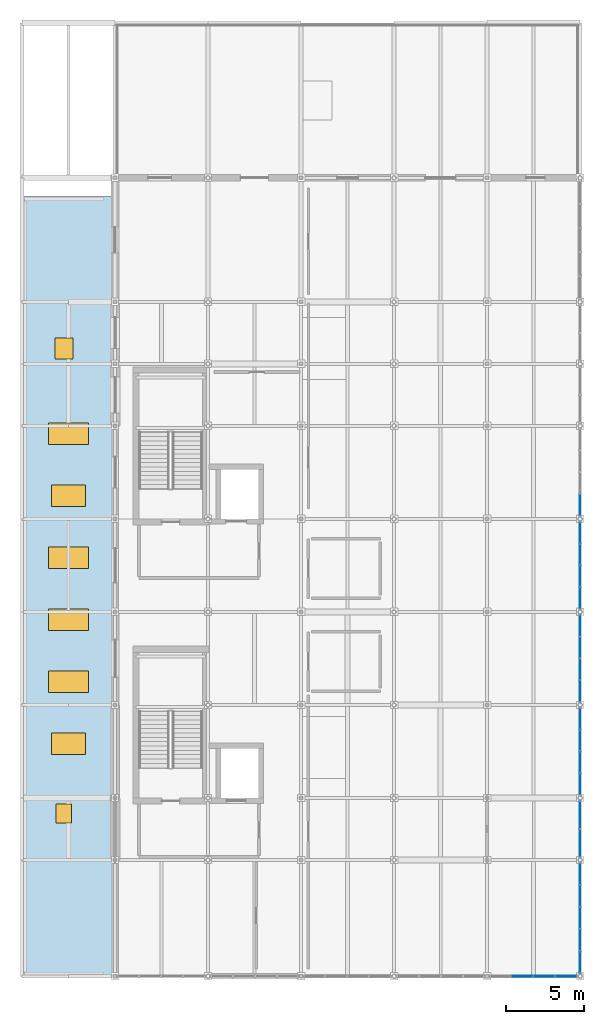
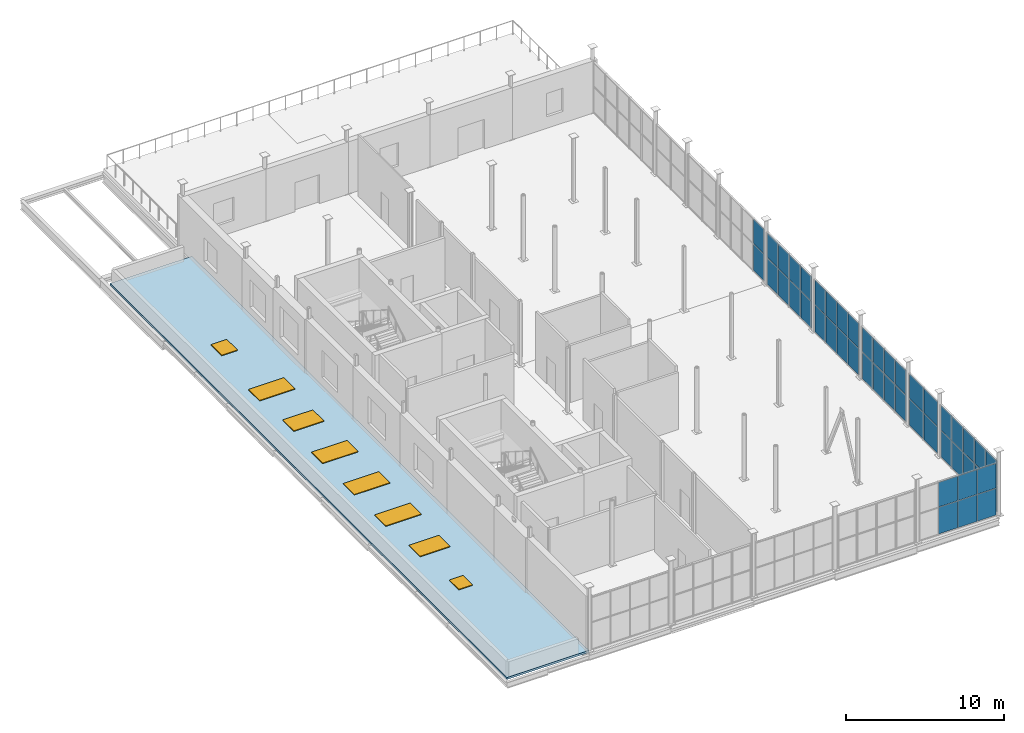
# One storey, part 20 of 27: 46 plates, 6 windows, 2 doors, 1 slab, 8 openings, 7 elements without a shape of their own.
"""IFC4 building model written with IfcOpenShell, lengths in metres."""

from ifc_helpers import new_model, si_unit, direction, frame, origin, origin_2d, place, context, subcontext, project, spatial, polyline, rectangle, outline, extrude, material, layer, layer_set, type_object, element, fill, aggregate, save


model = new_model("IFC4")

# Units and contexts
model_context = context("Model", 3, precision=1e-05, world=origin(), true_north=direction((0.0, 1.0)))
body_context = subcontext(model_context, "Body", "Model", "MODEL_VIEW")
ifc_project = project(units=[si_unit("LENGTHUNIT", "METRE"), si_unit("AREAUNIT", "SQUARE_METRE"), si_unit("VOLUMEUNIT", "CUBIC_METRE"), si_unit("PLANEANGLEUNIT", "RADIAN"), si_unit("MASSUNIT", "GRAM", prefix="KILO")], contexts=[model_context])

# Site, building, storey
site_placement = place(None, origin())
site = spatial("IfcSite", under=ifc_project, at=site_placement, CompositionType="ELEMENT")
building_placement = place(site_placement, origin())
building = spatial("IfcBuilding", under=site, at=building_placement, Name="Verrall Gate Interchange", CompositionType="ELEMENT")
storey_placement = place(building_placement, frame((0.0, 0.0, 23.60009765625)))
storey = spatial("IfcBuildingStorey", under=building, at=storey_placement, Name="L06", CompositionType="ELEMENT", Elevation=23.60009765625)

# Curtain wall, plates
ifc_material_1 = material(Name="Thermally Broken Anodized Aluminium Curtain Wall Framing", Category="aluminium")
curtain_wall_type_1 = type_object("IfcCurtainWallType", Name="CW-47 Unitized Curtain Wall 3663x4100", PredefinedType="NOTDEFINED", material=ifc_material_1)
curtain_wall_1_placement = place(storey_placement, origin())
curtain_wall_1 = element("IfcCurtainWall", 1, at=curtain_wall_1_placement, inside=storey, type_object=curtain_wall_type_1, Name="L06 Unitized Curtain Wall CW-L06-144", PredefinedType="NOTDEFINED")
ifc_material_2 = material(Name="Triple-Glazed Low-E Argon Insulated Curtain Panel (U=1.45)", Category="glass")
ifc_layer_1 = layer(ifc_material_2, 0.030029296875)
ifc_layer_set_1 = layer_set([ifc_layer_1], Name="Triple-Glazed Low-E Argon Insulated Curtain Panel (U=1.45)")
plate_type_1 = type_object("IfcPlateType", Name="CP-01 Curtain Glazing Panel 30", PredefinedType="CURTAIN_PANEL", material=ifc_layer_set_1)
plate_1_placement = place(storey_placement, frame((36.0, 13.1005859375, 0.05419921875), z_axis=(0.0, 0.0, 1.0), x_axis=(0.0, 1.0, 0.0)))
plate_1 = element("IfcPlate", 2, at=plate_1_placement, type_object=plate_type_1, Name="CW-L06-144 Glazing Panel 1.1", PredefinedType="CURTAIN_PANEL", context=body_context, shape_type="SweptSolid", body=[
    extrude(rectangle(XDim=1.754638671875, YDim=0.030029296875, at=origin_2d()), origin(), (0.0, 0.0, 1.0), 2.055419921875),
])
plate_2_placement = place(storey_placement, frame((36.0, 13.1005859375, 2.15380859375), z_axis=(0.0, 0.0, 1.0), x_axis=(0.0, 1.0, 0.0)))
plate_2 = element("IfcPlate", 3, at=plate_2_placement, type_object=plate_type_1, Name="CW-L06-144 Glazing Panel 1.2", PredefinedType="CURTAIN_PANEL", context=body_context, shape_type="SweptSolid", body=[
    extrude(rectangle(XDim=1.754638671875, YDim=0.030029296875, at=origin_2d()), origin(), (0.0, 0.0, 1.0), 1.891357421875),
])
plate_3_placement = place(storey_placement, frame((36.0, 14.8994140625, 0.05419921875), z_axis=(0.0, 0.0, 1.0), x_axis=(0.0, 1.0, 0.0)))
plate_3 = element("IfcPlate", 4, at=plate_3_placement, type_object=plate_type_1, Name="CW-L06-144 Glazing Panel 2.1", PredefinedType="CURTAIN_PANEL", context=body_context, shape_type="SweptSolid", body=[
    extrude(rectangle(XDim=1.754638671875, YDim=0.030029296875, at=origin_2d()), origin(), (0.0, 0.0, 1.0), 2.055419921875),
])
plate_4_placement = place(storey_placement, frame((36.0, 14.8994140625, 2.15380859375), z_axis=(0.0, 0.0, 1.0), x_axis=(0.0, 1.0, 0.0)))
plate_4 = element("IfcPlate", 5, at=plate_4_placement, type_object=plate_type_1, Name="CW-L06-144 Glazing Panel 2.2", PredefinedType="CURTAIN_PANEL", context=body_context, shape_type="SweptSolid", body=[
    extrude(rectangle(XDim=1.754638671875, YDim=0.030029296875, at=origin_2d()), origin(), (0.0, 0.0, 1.0), 1.891357421875),
])
aggregate(curtain_wall_1, [plate_1, plate_2, plate_3, plate_4])

ifc_material_3 = material(Name="Thermally Broken Anodized Aluminium Curtain Wall Framing", Category="aluminium")
curtain_wall_type_2 = type_object("IfcCurtainWallType", Name="CW-45 Unitized Curtain Wall 5698x4100", PredefinedType="NOTDEFINED", material=ifc_material_3)
curtain_wall_2_placement = place(storey_placement, origin())
curtain_wall_2 = element("IfcCurtainWall", 6, at=curtain_wall_2_placement, inside=storey, type_object=curtain_wall_type_2, Name="L06 Unitized Curtain Wall CW-L06-145", PredefinedType="NOTDEFINED")
plate_5_placement = place(storey_placement, frame((36.0, 16.895263671875, 0.06298828125), z_axis=(0.0, 0.0, 1.0), x_axis=(0.0, 1.0, 0.0)))
plate_5 = element("IfcPlate", 7, at=plate_5_placement, type_object=plate_type_1, Name="CW-L06-145 Glazing Panel 1.1", PredefinedType="CURTAIN_PANEL", context=body_context, shape_type="SweptSolid", body=[
    extrude(rectangle(XDim=1.3271484375, YDim=0.030029296875, at=origin_2d()), origin(), (0.0, 0.0, 1.0), 2.04345703125),
])
plate_6_placement = place(storey_placement, frame((36.0, 16.895263671875, 2.157470703125), z_axis=(0.0, 0.0, 1.0), x_axis=(0.0, 1.0, 0.0)))
plate_6 = element("IfcPlate", 8, at=plate_6_placement, type_object=plate_type_1, Name="CW-L06-145 Glazing Panel 1.2", PredefinedType="CURTAIN_PANEL", context=body_context, shape_type="SweptSolid", body=[
    extrude(rectangle(XDim=1.3271484375, YDim=0.030029296875, at=origin_2d()), origin(), (0.0, 0.0, 1.0), 1.87939453125),
])
plate_7_placement = place(storey_placement, frame((36.0, 18.2919921875, 0.06298828125), z_axis=(0.0, 0.0, 1.0), x_axis=(0.0, 1.0, 0.0)))
plate_7 = element("IfcPlate", 9, at=plate_7_placement, type_object=plate_type_1, Name="CW-L06-145 Glazing Panel 2.1", PredefinedType="CURTAIN_PANEL", context=body_context, shape_type="SweptSolid", body=[
    extrude(rectangle(XDim=1.36474609375, YDim=0.030029296875, at=origin_2d()), origin(), (0.0, 0.0, 1.0), 2.04345703125),
])
plate_8_placement = place(storey_placement, frame((36.0, 18.2919921875, 2.157470703125), z_axis=(0.0, 0.0, 1.0), x_axis=(0.0, 1.0, 0.0)))
plate_8 = element("IfcPlate", 10, at=plate_8_placement, type_object=plate_type_1, Name="CW-L06-145 Glazing Panel 2.2", PredefinedType="CURTAIN_PANEL", context=body_context, shape_type="SweptSolid", body=[
    extrude(rectangle(XDim=1.36474609375, YDim=0.030029296875, at=origin_2d()), origin(), (0.0, 0.0, 1.0), 1.87939453125),
])
plate_9_placement = place(storey_placement, frame((36.0, 19.7080078125, 0.06298828125), z_axis=(0.0, 0.0, 1.0), x_axis=(0.0, 1.0, 0.0)))
plate_9 = element("IfcPlate", 11, at=plate_9_placement, type_object=plate_type_1, Name="CW-L06-145 Glazing Panel 3.1", PredefinedType="CURTAIN_PANEL", context=body_context, shape_type="SweptSolid", body=[
    extrude(rectangle(XDim=1.36474609375, YDim=0.030029296875, at=origin_2d()), origin(), (0.0, 0.0, 1.0), 2.04345703125),
])
plate_10_placement = place(storey_placement, frame((36.0, 19.7080078125, 2.157470703125), z_axis=(0.0, 0.0, 1.0), x_axis=(0.0, 1.0, 0.0)))
plate_10 = element("IfcPlate", 12, at=plate_10_placement, type_object=plate_type_1, Name="CW-L06-145 Glazing Panel 3.2", PredefinedType="CURTAIN_PANEL", context=body_context, shape_type="SweptSolid", body=[
    extrude(rectangle(XDim=1.36474609375, YDim=0.030029296875, at=origin_2d()), origin(), (0.0, 0.0, 1.0), 1.87939453125),
])
plate_11_placement = place(storey_placement, frame((36.0, 21.104736328125, 0.06298828125), z_axis=(0.0, 0.0, 1.0), x_axis=(0.0, 1.0, 0.0)))
plate_11 = element("IfcPlate", 13, at=plate_11_placement, type_object=plate_type_1, Name="CW-L06-145 Glazing Panel 4.1", PredefinedType="CURTAIN_PANEL", context=body_context, shape_type="SweptSolid", body=[
    extrude(rectangle(XDim=1.3271484375, YDim=0.030029296875, at=origin_2d()), origin(), (0.0, 0.0, 1.0), 2.04345703125),
])
plate_12_placement = place(storey_placement, frame((36.0, 21.104736328125, 2.157470703125), z_axis=(0.0, 0.0, 1.0), x_axis=(0.0, 1.0, 0.0)))
plate_12 = element("IfcPlate", 14, at=plate_12_placement, type_object=plate_type_1, Name="CW-L06-145 Glazing Panel 4.2", PredefinedType="CURTAIN_PANEL", context=body_context, shape_type="SweptSolid", body=[
    extrude(rectangle(XDim=1.3271484375, YDim=0.030029296875, at=origin_2d()), origin(), (0.0, 0.0, 1.0), 1.87939453125),
])
aggregate(curtain_wall_2, [plate_5, plate_6, plate_7, plate_8, plate_9, plate_10, plate_11, plate_12])

curtain_wall_3_placement = place(storey_placement, origin())
curtain_wall_3 = element("IfcCurtainWall", 15, at=curtain_wall_3_placement, inside=storey, type_object=curtain_wall_type_2, Name="L06 Unitized Curtain Wall CW-L06-148", PredefinedType="NOTDEFINED")
plate_13_placement = place(storey_placement, frame((36.0, 34.892578125, 0.05419921875), z_axis=(0.0, 0.0, 1.0), x_axis=(0.0, 1.0, 0.0)))
plate_13 = element("IfcPlate", 16, at=plate_13_placement, type_object=plate_type_1, Name="CW-L06-148 Glazing Panel 1.1", PredefinedType="CURTAIN_PANEL", context=body_context, shape_type="SweptSolid", body=[
    extrude(rectangle(XDim=1.339111328125, YDim=0.030029296875, at=origin_2d()), origin(), (0.0, 0.0, 1.0), 2.055419921875),
])
plate_14_placement = place(storey_placement, frame((36.0, 34.892578125, 2.15380859375), z_axis=(0.0, 0.0, 1.0), x_axis=(0.0, 1.0, 0.0)))
plate_14 = element("IfcPlate", 17, at=plate_14_placement, type_object=plate_type_1, Name="CW-L06-148 Glazing Panel 1.2", PredefinedType="CURTAIN_PANEL", context=body_context, shape_type="SweptSolid", body=[
    extrude(rectangle(XDim=1.339111328125, YDim=0.030029296875, at=origin_2d()), origin(), (0.0, 0.0, 1.0), 1.891357421875),
])
aggregate(curtain_wall_3, [plate_13, plate_14])

curtain_wall_4_placement = place(storey_placement, origin())
curtain_wall_4 = element("IfcCurtainWall", 18, at=curtain_wall_4_placement, inside=storey, type_object=curtain_wall_type_2, Name="L06 Unitized Curtain Wall CW-L06-142", PredefinedType="NOTDEFINED")
ifc_material_4 = material(Name="Triple-Glazed Low-E Argon Insulated Curtain Panel (U=1.45)", Category="glass")
ifc_layer_2 = layer(ifc_material_4, 0.0400390625)
ifc_layer_set_2 = layer_set([ifc_layer_2], Name="Triple-Glazed Low-E Argon Insulated Curtain Panel (U=1.45)")
plate_type_2 = type_object("IfcPlateType", Name="CP-02 Curtain Glazing Panel 40", PredefinedType="CURTAIN_PANEL", material=ifc_layer_set_2)
plate_15_placement = place(storey_placement, frame((32.270263671875, 4.5, 0.05419921875), z_axis=(0.0, 0.0, 1.0), x_axis=(1.0, 0.0, 0.0)))
plate_15 = element("IfcPlate", 19, at=plate_15_placement, type_object=plate_type_2, Name="CW-L06-142 Glazing Panel 2.1", PredefinedType="CURTAIN_PANEL", context=body_context, shape_type="SweptSolid", body=[
    extrude(rectangle(XDim=1.380126953125, YDim=0.0400390625, at=origin_2d()), origin(), (0.0, 0.0, 1.0), 2.055419921875),
])
plate_16_placement = place(storey_placement, frame((32.270263671875, 4.5, 2.15380859375), z_axis=(0.0, 0.0, 1.0), x_axis=(1.0, 0.0, 0.0)))
plate_16 = element("IfcPlate", 20, at=plate_16_placement, type_object=plate_type_2, Name="CW-L06-142 Glazing Panel 2.2", PredefinedType="CURTAIN_PANEL", context=body_context, shape_type="SweptSolid", body=[
    extrude(rectangle(XDim=1.380126953125, YDim=0.0400390625, at=origin_2d()), origin(), (0.0, 0.0, 1.0), 1.891357421875),
])
plate_17_placement = place(storey_placement, frame((33.694580078125, 4.5, 0.05419921875), z_axis=(0.0, 0.0, 1.0), x_axis=(1.0, 0.0, 0.0)))
plate_17 = element("IfcPlate", 21, at=plate_17_placement, type_object=plate_type_2, Name="CW-L06-142 Glazing Panel 3.1", PredefinedType="CURTAIN_PANEL", context=body_context, shape_type="SweptSolid", body=[
    extrude(rectangle(XDim=1.38037109375, YDim=0.0400390625, at=origin_2d()), origin(), (0.0, 0.0, 1.0), 2.055419921875),
])
plate_18_placement = place(storey_placement, frame((33.694580078125, 4.5, 2.15380859375), z_axis=(0.0, 0.0, 1.0), x_axis=(1.0, 0.0, 0.0)))
plate_18 = element("IfcPlate", 22, at=plate_18_placement, type_object=plate_type_2, Name="CW-L06-142 Glazing Panel 3.2", PredefinedType="CURTAIN_PANEL", context=body_context, shape_type="SweptSolid", body=[
    extrude(rectangle(XDim=1.38037109375, YDim=0.0400390625, at=origin_2d()), origin(), (0.0, 0.0, 1.0), 1.891357421875),
])
plate_19_placement = place(storey_placement, frame((35.102783203125, 4.5, 0.05419921875), z_axis=(0.0, 0.0, 1.0), x_axis=(1.0, 0.0, 0.0)))
plate_19 = element("IfcPlate", 23, at=plate_19_placement, type_object=plate_type_2, Name="CW-L06-142 Glazing Panel 4.1", PredefinedType="CURTAIN_PANEL", context=body_context, shape_type="SweptSolid", body=[
    extrude(rectangle(XDim=1.347900390625, YDim=0.0400390625, at=origin_2d()), origin(), (0.0, 0.0, 1.0), 2.055419921875),
])
plate_20_placement = place(storey_placement, frame((35.102783203125, 4.5, 2.15380859375), z_axis=(0.0, 0.0, 1.0), x_axis=(1.0, 0.0, 0.0)))
plate_20 = element("IfcPlate", 24, at=plate_20_placement, type_object=plate_type_2, Name="CW-L06-142 Glazing Panel 4.2", PredefinedType="CURTAIN_PANEL", context=body_context, shape_type="SweptSolid", body=[
    extrude(rectangle(XDim=1.347900390625, YDim=0.0400390625, at=origin_2d()), origin(), (0.0, 0.0, 1.0), 1.891357421875),
])
aggregate(curtain_wall_4, [plate_15, plate_16, plate_17, plate_18, plate_19, plate_20])

ifc_material_5 = material(Name="Thermally Broken Anodized Aluminium Curtain Wall Framing", Category="aluminium")
curtain_wall_type_3 = type_object("IfcCurtainWallType", Name="CW-46 Unitized Curtain Wall 7163x4100", PredefinedType="NOTDEFINED", material=ifc_material_5)
curtain_wall_5_placement = place(storey_placement, origin())
curtain_wall_5 = element("IfcCurtainWall", 25, at=curtain_wall_5_placement, inside=storey, type_object=curtain_wall_type_3, Name="L06 Unitized Curtain Wall CW-L06-143", PredefinedType="NOTDEFINED")
plate_21_placement = place(storey_placement, frame((36.0, 5.403564453125, 0.06298828125), z_axis=(0.0, 0.0, 1.0), x_axis=(0.0, 1.0, 0.0)))
plate_21 = element("IfcPlate", 26, at=plate_21_placement, type_object=plate_type_2, Name="CW-L06-143 Glazing Panel 1.1", PredefinedType="CURTAIN_PANEL", context=body_context, shape_type="SweptSolid", body=[
    extrude(rectangle(XDim=1.343994140625, YDim=0.0400390625, at=origin_2d()), origin(), (0.0, 0.0, 1.0), 2.04345703125),
])
plate_22_placement = place(storey_placement, frame((36.0, 5.403564453125, 2.157470703125), z_axis=(0.0, 0.0, 1.0), x_axis=(0.0, 1.0, 0.0)))
plate_22 = element("IfcPlate", 27, at=plate_22_placement, type_object=plate_type_2, Name="CW-L06-143 Glazing Panel 1.2", PredefinedType="CURTAIN_PANEL", context=body_context, shape_type="SweptSolid", body=[
    extrude(rectangle(XDim=1.343994140625, YDim=0.0400390625, at=origin_2d()), origin(), (0.0, 0.0, 1.0), 1.87939453125),
])
plate_23_placement = place(storey_placement, frame((36.0, 6.8173828125, 0.06298828125), z_axis=(0.0, 0.0, 1.0), x_axis=(0.0, 1.0, 0.0)))
plate_23 = element("IfcPlate", 28, at=plate_23_placement, type_object=plate_type_2, Name="CW-L06-143 Glazing Panel 2.1", PredefinedType="CURTAIN_PANEL", context=body_context, shape_type="SweptSolid", body=[
    extrude(rectangle(XDim=1.381591796875, YDim=0.0400390625, at=origin_2d()), origin(), (0.0, 0.0, 1.0), 2.04345703125),
])
plate_24_placement = place(storey_placement, frame((36.0, 6.8173828125, 2.157470703125), z_axis=(0.0, 0.0, 1.0), x_axis=(0.0, 1.0, 0.0)))
plate_24 = element("IfcPlate", 29, at=plate_24_placement, type_object=plate_type_2, Name="CW-L06-143 Glazing Panel 2.2", PredefinedType="CURTAIN_PANEL", context=body_context, shape_type="SweptSolid", body=[
    extrude(rectangle(XDim=1.381591796875, YDim=0.0400390625, at=origin_2d()), origin(), (0.0, 0.0, 1.0), 1.87939453125),
])
plate_25_placement = place(storey_placement, frame((36.0, 8.25, 0.06298828125), z_axis=(0.0, 0.0, 1.0), x_axis=(0.0, 1.0, 0.0)))
plate_25 = element("IfcPlate", 30, at=plate_25_placement, type_object=plate_type_2, Name="CW-L06-143 Glazing Panel 3.1", PredefinedType="CURTAIN_PANEL", context=body_context, shape_type="SweptSolid", body=[
    extrude(rectangle(XDim=1.381591796875, YDim=0.0400390625, at=origin_2d()), origin(), (0.0, 0.0, 1.0), 2.04345703125),
])
plate_26_placement = place(storey_placement, frame((36.0, 8.25, 2.157470703125), z_axis=(0.0, 0.0, 1.0), x_axis=(0.0, 1.0, 0.0)))
plate_26 = element("IfcPlate", 31, at=plate_26_placement, type_object=plate_type_2, Name="CW-L06-143 Glazing Panel 3.2", PredefinedType="CURTAIN_PANEL", context=body_context, shape_type="SweptSolid", body=[
    extrude(rectangle(XDim=1.381591796875, YDim=0.0400390625, at=origin_2d()), origin(), (0.0, 0.0, 1.0), 1.87939453125),
])
plate_27_placement = place(storey_placement, frame((36.0, 9.6826171875, 0.06298828125), z_axis=(0.0, 0.0, 1.0), x_axis=(0.0, 1.0, 0.0)))
plate_27 = element("IfcPlate", 32, at=plate_27_placement, type_object=plate_type_2, Name="CW-L06-143 Glazing Panel 4.1", PredefinedType="CURTAIN_PANEL", context=body_context, shape_type="SweptSolid", body=[
    extrude(rectangle(XDim=1.381591796875, YDim=0.0400390625, at=origin_2d()), origin(), (0.0, 0.0, 1.0), 2.04345703125),
])
plate_28_placement = place(storey_placement, frame((36.0, 9.6826171875, 2.157470703125), z_axis=(0.0, 0.0, 1.0), x_axis=(0.0, 1.0, 0.0)))
plate_28 = element("IfcPlate", 33, at=plate_28_placement, type_object=plate_type_2, Name="CW-L06-143 Glazing Panel 4.2", PredefinedType="CURTAIN_PANEL", context=body_context, shape_type="SweptSolid", body=[
    extrude(rectangle(XDim=1.381591796875, YDim=0.0400390625, at=origin_2d()), origin(), (0.0, 0.0, 1.0), 1.87939453125),
])
plate_29_placement = place(storey_placement, frame((36.0, 11.09619140625, 0.06298828125), z_axis=(0.0, 0.0, 1.0), x_axis=(0.0, 1.0, 0.0)))
plate_29 = element("IfcPlate", 34, at=plate_29_placement, type_object=plate_type_2, Name="CW-L06-143 Glazing Panel 5.1", PredefinedType="CURTAIN_PANEL", context=body_context, shape_type="SweptSolid", body=[
    extrude(rectangle(XDim=1.343994140625, YDim=0.0400390625, at=origin_2d()), origin(), (0.0, 0.0, 1.0), 2.04345703125),
])
plate_30_placement = place(storey_placement, frame((36.0, 11.09619140625, 2.157470703125), z_axis=(0.0, 0.0, 1.0), x_axis=(0.0, 1.0, 0.0)))
plate_30 = element("IfcPlate", 35, at=plate_30_placement, type_object=plate_type_2, Name="CW-L06-143 Glazing Panel 5.2", PredefinedType="CURTAIN_PANEL", context=body_context, shape_type="SweptSolid", body=[
    extrude(rectangle(XDim=1.343994140625, YDim=0.0400390625, at=origin_2d()), origin(), (0.0, 0.0, 1.0), 1.87939453125),
])
aggregate(curtain_wall_5, [plate_21, plate_22, plate_23, plate_24, plate_25, plate_26, plate_27, plate_28, plate_29, plate_30])

curtain_wall_6_placement = place(storey_placement, origin())
curtain_wall_6 = element("IfcCurtainWall", 36, at=curtain_wall_6_placement, inside=storey, type_object=curtain_wall_type_2, Name="L06 Unitized Curtain Wall CW-L06-146", PredefinedType="NOTDEFINED")
plate_31_placement = place(storey_placement, frame((36.0, 22.892578125, 0.05419921875), z_axis=(0.0, 0.0, 1.0), x_axis=(0.0, 1.0, 0.0)))
plate_31 = element("IfcPlate", 37, at=plate_31_placement, type_object=plate_type_2, Name="CW-L06-146 Glazing Panel 1.1", PredefinedType="CURTAIN_PANEL", context=body_context, shape_type="SweptSolid", body=[
    extrude(rectangle(XDim=1.339111328125, YDim=0.0400390625, at=origin_2d()), origin(), (0.0, 0.0, 1.0), 2.055419921875),
])
plate_32_placement = place(storey_placement, frame((36.0, 22.892578125, 2.15380859375), z_axis=(0.0, 0.0, 1.0), x_axis=(0.0, 1.0, 0.0)))
plate_32 = element("IfcPlate", 38, at=plate_32_placement, type_object=plate_type_2, Name="CW-L06-146 Glazing Panel 1.2", PredefinedType="CURTAIN_PANEL", context=body_context, shape_type="SweptSolid", body=[
    extrude(rectangle(XDim=1.339111328125, YDim=0.0400390625, at=origin_2d()), origin(), (0.0, 0.0, 1.0), 1.891357421875),
])
plate_33_placement = place(storey_placement, frame((36.0, 24.2919921875, 0.05419921875), z_axis=(0.0, 0.0, 1.0), x_axis=(0.0, 1.0, 0.0)))
plate_33 = element("IfcPlate", 39, at=plate_33_placement, type_object=plate_type_2, Name="CW-L06-146 Glazing Panel 2.1", PredefinedType="CURTAIN_PANEL", context=body_context, shape_type="SweptSolid", body=[
    extrude(rectangle(XDim=1.37158203125, YDim=0.0400390625, at=origin_2d()), origin(), (0.0, 0.0, 1.0), 2.055419921875),
])
plate_34_placement = place(storey_placement, frame((36.0, 24.2919921875, 2.15380859375), z_axis=(0.0, 0.0, 1.0), x_axis=(0.0, 1.0, 0.0)))
plate_34 = element("IfcPlate", 40, at=plate_34_placement, type_object=plate_type_2, Name="CW-L06-146 Glazing Panel 2.2", PredefinedType="CURTAIN_PANEL", context=body_context, shape_type="SweptSolid", body=[
    extrude(rectangle(XDim=1.37158203125, YDim=0.0400390625, at=origin_2d()), origin(), (0.0, 0.0, 1.0), 1.891357421875),
])
plate_35_placement = place(storey_placement, frame((36.0, 25.7080078125, 0.05419921875), z_axis=(0.0, 0.0, 1.0), x_axis=(0.0, 1.0, 0.0)))
plate_35 = element("IfcPlate", 41, at=plate_35_placement, type_object=plate_type_2, Name="CW-L06-146 Glazing Panel 3.1", PredefinedType="CURTAIN_PANEL", context=body_context, shape_type="SweptSolid", body=[
    extrude(rectangle(XDim=1.37158203125, YDim=0.0400390625, at=origin_2d()), origin(), (0.0, 0.0, 1.0), 2.055419921875),
])
plate_36_placement = place(storey_placement, frame((36.0, 25.7080078125, 2.15380859375), z_axis=(0.0, 0.0, 1.0), x_axis=(0.0, 1.0, 0.0)))
plate_36 = element("IfcPlate", 42, at=plate_36_placement, type_object=plate_type_2, Name="CW-L06-146 Glazing Panel 3.2", PredefinedType="CURTAIN_PANEL", context=body_context, shape_type="SweptSolid", body=[
    extrude(rectangle(XDim=1.37158203125, YDim=0.0400390625, at=origin_2d()), origin(), (0.0, 0.0, 1.0), 1.891357421875),
])
plate_37_placement = place(storey_placement, frame((36.0, 27.107421875, 0.05419921875), z_axis=(0.0, 0.0, 1.0), x_axis=(0.0, 1.0, 0.0)))
plate_37 = element("IfcPlate", 43, at=plate_37_placement, type_object=plate_type_2, Name="CW-L06-146 Glazing Panel 4.1", PredefinedType="CURTAIN_PANEL", context=body_context, shape_type="SweptSolid", body=[
    extrude(rectangle(XDim=1.339111328125, YDim=0.0400390625, at=origin_2d()), origin(), (0.0, 0.0, 1.0), 2.055419921875),
])
plate_38_placement = place(storey_placement, frame((36.0, 27.107421875, 2.15380859375), z_axis=(0.0, 0.0, 1.0), x_axis=(0.0, 1.0, 0.0)))
plate_38 = element("IfcPlate", 44, at=plate_38_placement, type_object=plate_type_2, Name="CW-L06-146 Glazing Panel 4.2", PredefinedType="CURTAIN_PANEL", context=body_context, shape_type="SweptSolid", body=[
    extrude(rectangle(XDim=1.339111328125, YDim=0.0400390625, at=origin_2d()), origin(), (0.0, 0.0, 1.0), 1.891357421875),
])
aggregate(curtain_wall_6, [plate_31, plate_32, plate_33, plate_34, plate_35, plate_36, plate_37, plate_38])

curtain_wall_7_placement = place(storey_placement, origin())
curtain_wall_7 = element("IfcCurtainWall", 45, at=curtain_wall_7_placement, inside=storey, type_object=curtain_wall_type_2, Name="L06 Unitized Curtain Wall CW-L06-147", PredefinedType="NOTDEFINED")
plate_39_placement = place(storey_placement, frame((36.0, 28.895263671875, 0.06298828125), z_axis=(0.0, 0.0, 1.0), x_axis=(0.0, 1.0, 0.0)))
plate_39 = element("IfcPlate", 46, at=plate_39_placement, type_object=plate_type_2, Name="CW-L06-147 Glazing Panel 1.1", PredefinedType="CURTAIN_PANEL", context=body_context, shape_type="SweptSolid", body=[
    extrude(rectangle(XDim=1.3271484375, YDim=0.0400390625, at=origin_2d()), origin(), (0.0, 0.0, 1.0), 2.04345703125),
])
plate_40_placement = place(storey_placement, frame((36.0, 28.895263671875, 2.157470703125), z_axis=(0.0, 0.0, 1.0), x_axis=(0.0, 1.0, 0.0)))
plate_40 = element("IfcPlate", 47, at=plate_40_placement, type_object=plate_type_2, Name="CW-L06-147 Glazing Panel 1.2", PredefinedType="CURTAIN_PANEL", context=body_context, shape_type="SweptSolid", body=[
    extrude(rectangle(XDim=1.3271484375, YDim=0.0400390625, at=origin_2d()), origin(), (0.0, 0.0, 1.0), 1.87939453125),
])
plate_41_placement = place(storey_placement, frame((36.0, 30.2919921875, 0.06298828125), z_axis=(0.0, 0.0, 1.0), x_axis=(0.0, 1.0, 0.0)))
plate_41 = element("IfcPlate", 48, at=plate_41_placement, type_object=plate_type_2, Name="CW-L06-147 Glazing Panel 2.1", PredefinedType="CURTAIN_PANEL", context=body_context, shape_type="SweptSolid", body=[
    extrude(rectangle(XDim=1.36474609375, YDim=0.0400390625, at=origin_2d()), origin(), (0.0, 0.0, 1.0), 2.04345703125),
])
plate_42_placement = place(storey_placement, frame((36.0, 30.2919921875, 2.157470703125), z_axis=(0.0, 0.0, 1.0), x_axis=(0.0, 1.0, 0.0)))
plate_42 = element("IfcPlate", 49, at=plate_42_placement, type_object=plate_type_2, Name="CW-L06-147 Glazing Panel 2.2", PredefinedType="CURTAIN_PANEL", context=body_context, shape_type="SweptSolid", body=[
    extrude(rectangle(XDim=1.36474609375, YDim=0.0400390625, at=origin_2d()), origin(), (0.0, 0.0, 1.0), 1.87939453125),
])
plate_43_placement = place(storey_placement, frame((36.0, 31.7080078125, 0.06298828125), z_axis=(0.0, 0.0, 1.0), x_axis=(0.0, 1.0, 0.0)))
plate_43 = element("IfcPlate", 50, at=plate_43_placement, type_object=plate_type_2, Name="CW-L06-147 Glazing Panel 3.1", PredefinedType="CURTAIN_PANEL", context=body_context, shape_type="SweptSolid", body=[
    extrude(rectangle(XDim=1.36474609375, YDim=0.0400390625, at=origin_2d()), origin(), (0.0, 0.0, 1.0), 2.04345703125),
])
plate_44_placement = place(storey_placement, frame((36.0, 31.7080078125, 2.157470703125), z_axis=(0.0, 0.0, 1.0), x_axis=(0.0, 1.0, 0.0)))
plate_44 = element("IfcPlate", 51, at=plate_44_placement, type_object=plate_type_2, Name="CW-L06-147 Glazing Panel 3.2", PredefinedType="CURTAIN_PANEL", context=body_context, shape_type="SweptSolid", body=[
    extrude(rectangle(XDim=1.36474609375, YDim=0.0400390625, at=origin_2d()), origin(), (0.0, 0.0, 1.0), 1.87939453125),
])
plate_45_placement = place(storey_placement, frame((36.0, 33.104736328125, 0.06298828125), z_axis=(0.0, 0.0, 1.0), x_axis=(0.0, 1.0, 0.0)))
plate_45 = element("IfcPlate", 52, at=plate_45_placement, type_object=plate_type_2, Name="CW-L06-147 Glazing Panel 4.1", PredefinedType="CURTAIN_PANEL", context=body_context, shape_type="SweptSolid", body=[
    extrude(rectangle(XDim=1.3271484375, YDim=0.0400390625, at=origin_2d()), origin(), (0.0, 0.0, 1.0), 2.04345703125),
])
plate_46_placement = place(storey_placement, frame((36.0, 33.104736328125, 2.157470703125), z_axis=(0.0, 0.0, 1.0), x_axis=(0.0, 1.0, 0.0)))
plate_46 = element("IfcPlate", 53, at=plate_46_placement, type_object=plate_type_2, Name="CW-L06-147 Glazing Panel 4.2", PredefinedType="CURTAIN_PANEL", context=body_context, shape_type="SweptSolid", body=[
    extrude(rectangle(XDim=1.3271484375, YDim=0.0400390625, at=origin_2d()), origin(), (0.0, 0.0, 1.0), 1.87939453125),
])
aggregate(curtain_wall_7, [plate_39, plate_40, plate_41, plate_42, plate_43, plate_44, plate_45, plate_46])

# Slab, openings, doors, windows
ifc_material_6 = material(Name="Concrete CSA A23.1 40 MPa (Class C-1)", Category="concrete")
ifc_layer_3 = layer(ifc_material_6, 0.159912109375)
ifc_layer_set_3 = layer_set([ifc_layer_3], Name="Concrete CSA A23.1 40 MPa (Class C-1)")
slab_type = type_object("IfcSlabType", Name="RS-03 Roof Slab 160", PredefinedType="ROOF", material=ifc_layer_set_3)
slab_placement = place(storey_placement, frame((0.0, 0.0, -0.16015625)))
slab = element("IfcSlab", 54, at=slab_placement, inside=storey, type_object=slab_type, Name="L06 Structural Slab SLB-L06-MR1", PredefinedType="ROOF", context=body_context, shape_type="SweptSolid", body=[
    extrude(outline(polyline([(0.0, 54.800048828125), (6.0, 54.800048828125), (6.0, 34.0), (6.0, 4.5), (0.0, 4.5), (0.0, 54.800048828125)])), origin(), (0.0, 0.0, 1.0), 0.16015625),
])
opening_1_placement = place(slab_placement, frame((2.699951171875, 15.0, 0.0)))
opening_1 = element("IfcOpeningElement", 55, at=opening_1_placement, cuts=slab, Name="Opening RH01", PredefinedType="OPENING", context=body_context, shape_type="SweptSolid", body=[
    extrude(rectangle(XDim=1.0, YDim=1.199951171875, at=origin_2d()), frame((0.0, 0.0, -0.014892578125)), (0.0, 0.0, 1.0), 0.239990234375),
])
opening_2_placement = place(slab_placement, frame((2.699951171875, 45.0, 0.0)))
opening_2 = element("IfcOpeningElement", 56, at=opening_2_placement, cuts=slab, Name="Opening RH02", PredefinedType="OPENING", context=body_context, shape_type="SweptSolid", body=[
    extrude(rectangle(XDim=1.14990234375, YDim=1.35009765625, at=origin_2d()), frame((0.0, 0.0, -0.014892578125)), (0.0, 0.0, 1.0), 0.239990234375),
])
opening_3_placement = place(slab_placement, frame((3.0, 19.5, 0.0)))
opening_3 = element("IfcOpeningElement", 57, at=opening_3_placement, cuts=slab, Name="Opening SK-01", PredefinedType="OPENING", context=body_context, shape_type="SweptSolid", body=[
    extrude(rectangle(XDim=2.199951171875, YDim=1.39990234375, at=origin_2d()), frame((0.0, 0.0, -0.014892578125)), (0.0, 0.0, 1.0), 0.239990234375),
])
opening_4_placement = place(slab_placement, frame((3.0, 23.5, 0.0)))
opening_4 = element("IfcOpeningElement", 58, at=opening_4_placement, cuts=slab, Name="Opening SK-02", PredefinedType="OPENING", context=body_context, shape_type="SweptSolid", body=[
    extrude(rectangle(XDim=2.60009765625, YDim=1.39990234375, at=origin_2d()), frame((0.0, 0.0, -0.014892578125)), (0.0, 0.0, 1.0), 0.239990234375),
])
opening_5_placement = place(slab_placement, frame((3.0, 27.5, 0.0)))
opening_5 = element("IfcOpeningElement", 59, at=opening_5_placement, cuts=slab, Name="Opening SK-02", PredefinedType="OPENING", context=body_context, shape_type="SweptSolid", body=[
    extrude(rectangle(XDim=2.60009765625, YDim=1.39990234375, at=origin_2d()), frame((0.0, 0.0, -0.014892578125)), (0.0, 0.0, 1.0), 0.239990234375),
])
opening_6_placement = place(slab_placement, frame((3.0, 31.5, 0.0)))
opening_6 = element("IfcOpeningElement", 60, at=opening_6_placement, cuts=slab, Name="Opening SK-02", PredefinedType="OPENING", context=body_context, shape_type="SweptSolid", body=[
    extrude(rectangle(XDim=2.60009765625, YDim=1.39990234375, at=origin_2d()), frame((0.0, 0.0, -0.014892578125)), (0.0, 0.0, 1.0), 0.239990234375),
])
opening_7_placement = place(slab_placement, frame((3.0, 35.5, 0.0)))
opening_7 = element("IfcOpeningElement", 61, at=opening_7_placement, cuts=slab, Name="Opening SK-01", PredefinedType="OPENING", context=body_context, shape_type="SweptSolid", body=[
    extrude(rectangle(XDim=2.199951171875, YDim=1.39990234375, at=origin_2d()), frame((0.0, 0.0, -0.014892578125)), (0.0, 0.0, 1.0), 0.239990234375),
])
opening_8_placement = place(slab_placement, frame((3.0, 39.5, 0.0)))
opening_8 = element("IfcOpeningElement", 62, at=opening_8_placement, cuts=slab, Name="Opening SK-02", PredefinedType="OPENING", context=body_context, shape_type="SweptSolid", body=[
    extrude(rectangle(XDim=2.60009765625, YDim=1.39990234375, at=origin_2d()), frame((0.0, 0.0, -0.014892578125)), (0.0, 0.0, 1.0), 0.239990234375),
])
ifc_material_7 = material(Name="Thermally Broken Bronze-Anodized Aluminium Entrance Assembly", Category="aluminium")
door_type_1 = type_object("IfcDoorType", Name="RH-01 Roof Access Hatch 1000x1200", OperationType="NOTDEFINED", PredefinedType="TRAPDOOR", material=ifc_material_7)
door_1_placement = place(opening_1_placement, frame((0.0, 0.0, 0.16015625)))
door_1 = element("IfcDoor", 63, at=door_1_placement, inside=storey, type_object=door_type_1, Name="L06 Insulated Maintenance Roof Hatch RH01", OperationType="SINGLE_SWING_LEFT", OverallHeight=1.199951171875, OverallWidth=1.0, PredefinedType="TRAPDOOR", context=body_context, shape_type="SweptSolid", body=[
    extrude(rectangle(XDim=1.0, YDim=1.199951171875, at=origin_2d()), origin(), (0.0, 0.0, 1.0), 0.050048828125),
])
fill(opening_1, door_1)
ifc_material_8 = material(Name="Thermally Broken Bronze-Anodized Aluminium Entrance Assembly", Category="aluminium")
door_type_2 = type_object("IfcDoorType", Name="RH-02 Roof Access Hatch 1150x1350", OperationType="NOTDEFINED", PredefinedType="TRAPDOOR", material=ifc_material_8)
door_2_placement = place(opening_2_placement, frame((0.0, 0.0, 0.16015625)))
door_2 = element("IfcDoor", 64, at=door_2_placement, inside=storey, type_object=door_type_2, Name="L06 Insulated Maintenance Roof Hatch RH02", OperationType="SINGLE_SWING_LEFT", OverallHeight=1.35009765625, OverallWidth=1.14990234375, PredefinedType="TRAPDOOR", context=body_context, shape_type="SweptSolid", body=[
    extrude(rectangle(XDim=1.14990234375, YDim=1.35009765625, at=origin_2d()), origin(), (0.0, 0.0, 1.0), 0.050048828125),
])
fill(opening_2, door_2)
ifc_material_9 = material(Name="Triple-Glazed Low-E Argon Bronze-Clad Window Unit (U=1.40)", Category="glass")
window_type_1 = type_object("IfcWindowType", Name="SK-01 Clerestory Roof Skylight 2200x1400", PartitioningType="SINGLE_PANEL", PredefinedType="SKYLIGHT", material=ifc_material_9)
window_1_placement = place(opening_3_placement, frame((0.0, 0.0, 0.16015625)))
window_1 = element("IfcWindow", 65, at=window_1_placement, inside=storey, type_object=window_type_1, Name="L06 Roof Skylight 01 (SK-01)", OverallHeight=1.39990234375, OverallWidth=2.199951171875, PartitioningType="SINGLE_PANEL", PredefinedType="SKYLIGHT", context=body_context, shape_type="SweptSolid", body=[
    extrude(rectangle(XDim=2.199951171875, YDim=1.39990234375, at=origin_2d()), origin(), (0.0, 0.0, 1.0), 0.050048828125),
])
fill(opening_3, window_1)
window_2_placement = place(opening_7_placement, frame((0.0, 0.0, 0.16015625)))
window_2 = element("IfcWindow", 66, at=window_2_placement, inside=storey, type_object=window_type_1, Name="L06 Roof Skylight 05 (SK-01)", OverallHeight=1.39990234375, OverallWidth=2.199951171875, PartitioningType="SINGLE_PANEL", PredefinedType="SKYLIGHT", context=body_context, shape_type="SweptSolid", body=[
    extrude(rectangle(XDim=2.199951171875, YDim=1.39990234375, at=origin_2d()), origin(), (0.0, 0.0, 1.0), 0.050048828125),
])
fill(opening_7, window_2)
ifc_material_10 = material(Name="Triple-Glazed Low-E Argon Bronze-Clad Window Unit (U=1.40)", Category="glass")
window_type_2 = type_object("IfcWindowType", Name="SK-02 Clerestory Roof Skylight 2600x1400", PartitioningType="SINGLE_PANEL", PredefinedType="SKYLIGHT", material=ifc_material_10)
window_3_placement = place(opening_4_placement, frame((0.0, 0.0, 0.16015625)))
window_3 = element("IfcWindow", 67, at=window_3_placement, inside=storey, type_object=window_type_2, Name="L06 Roof Skylight 02 (SK-02)", OverallHeight=1.39990234375, OverallWidth=2.60009765625, PartitioningType="SINGLE_PANEL", PredefinedType="SKYLIGHT", context=body_context, shape_type="SweptSolid", body=[
    extrude(rectangle(XDim=2.60009765625, YDim=1.39990234375, at=origin_2d()), origin(), (0.0, 0.0, 1.0), 0.050048828125),
])
fill(opening_4, window_3)
window_4_placement = place(opening_5_placement, frame((0.0, 0.0, 0.16015625)))
window_4 = element("IfcWindow", 68, at=window_4_placement, inside=storey, type_object=window_type_2, Name="L06 Roof Skylight 03 (SK-02)", OverallHeight=1.39990234375, OverallWidth=2.60009765625, PartitioningType="SINGLE_PANEL", PredefinedType="SKYLIGHT", context=body_context, shape_type="SweptSolid", body=[
    extrude(rectangle(XDim=2.60009765625, YDim=1.39990234375, at=origin_2d()), origin(), (0.0, 0.0, 1.0), 0.050048828125),
])
fill(opening_5, window_4)
window_5_placement = place(opening_6_placement, frame((0.0, 0.0, 0.16015625)))
window_5 = element("IfcWindow", 69, at=window_5_placement, inside=storey, type_object=window_type_2, Name="L06 Roof Skylight 04 (SK-02)", OverallHeight=1.39990234375, OverallWidth=2.60009765625, PartitioningType="SINGLE_PANEL", PredefinedType="SKYLIGHT", context=body_context, shape_type="SweptSolid", body=[
    extrude(rectangle(XDim=2.60009765625, YDim=1.39990234375, at=origin_2d()), origin(), (0.0, 0.0, 1.0), 0.050048828125),
])
fill(opening_6, window_5)
window_6_placement = place(opening_8_placement, frame((0.0, 0.0, 0.16015625)))
window_6 = element("IfcWindow", 70, at=window_6_placement, inside=storey, type_object=window_type_2, Name="L06 Roof Skylight 06 (SK-02)", OverallHeight=1.39990234375, OverallWidth=2.60009765625, PartitioningType="SINGLE_PANEL", PredefinedType="SKYLIGHT", context=body_context, shape_type="SweptSolid", body=[
    extrude(rectangle(XDim=2.60009765625, YDim=1.39990234375, at=origin_2d()), origin(), (0.0, 0.0, 1.0), 0.050048828125),
])
fill(opening_8, window_6)

save(model, "model.ifc")
